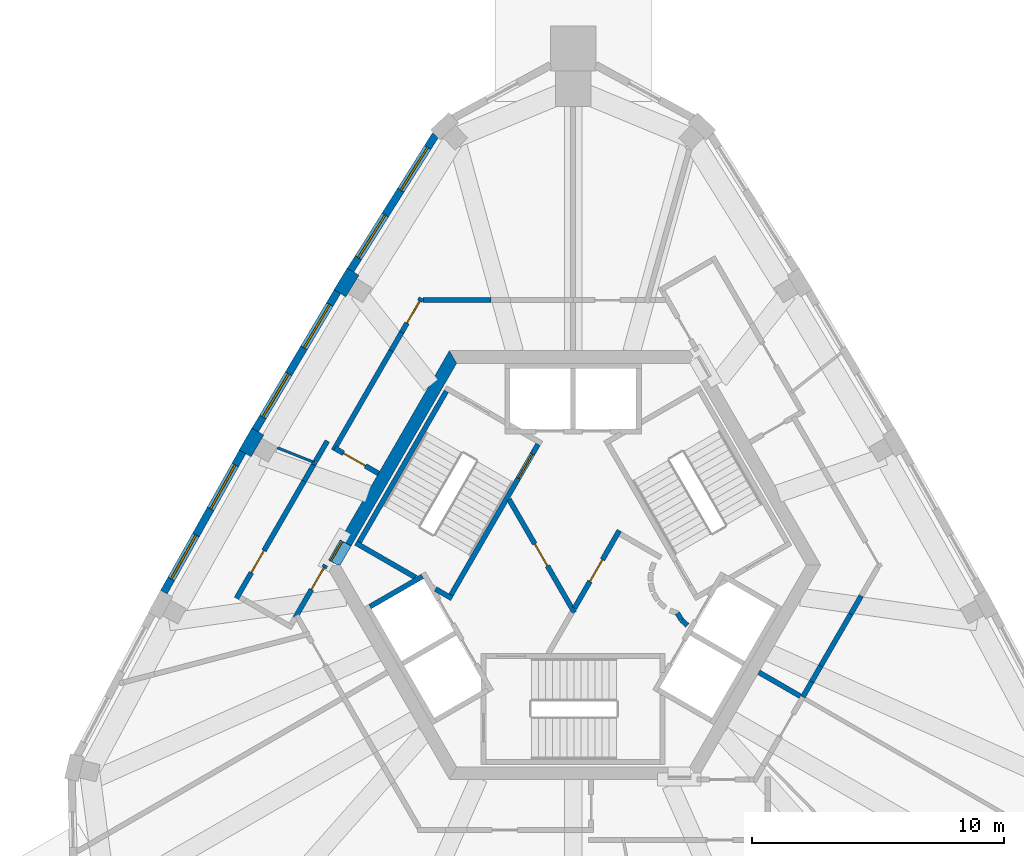
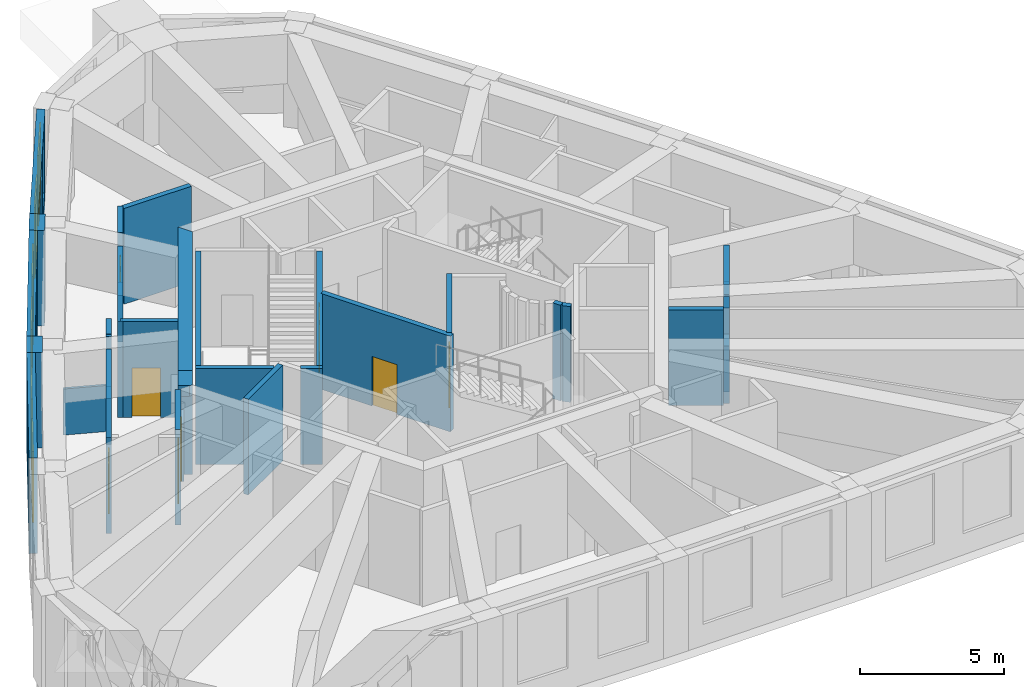
# One storey, part 4 of 8: 33 walls, 8 doors, 6 windows, 14 openings.
"""IFC4 building model written with IfcOpenShell, lengths in metres."""

from ifc_helpers import new_model, si_unit, direction, frame, frame_2d, origin, place, context, subcontext, project, spatial, polyline, rectangle, outline, extrude, material, layer, layer_set, type_object, element, fill, save


model = new_model("IFC4")

# Units and contexts
model_context = context("Model", 3, precision=1e-05, world=origin(), true_north=direction((0.0, 1.0)))
body_context = subcontext(model_context, "Body", "Model", "MODEL_VIEW")
ifc_project = project(units=[si_unit("LENGTHUNIT", "METRE"), si_unit("AREAUNIT", "SQUARE_METRE"), si_unit("VOLUMEUNIT", "CUBIC_METRE"), si_unit("PLANEANGLEUNIT", "RADIAN"), si_unit("MASSUNIT", "GRAM", prefix="KILO")], contexts=[model_context])

# Site, building, storey
site_placement = place(None, origin())
site = spatial("IfcSite", under=ifc_project, at=site_placement, CompositionType="ELEMENT")
building_placement = place(site_placement, origin())
building = spatial("IfcBuilding", under=site, at=building_placement, Name="Entoto Arch Interchange Tower", CompositionType="ELEMENT")
storey_placement = place(building_placement, frame((0.0, 0.0, 344.89990234375)))
storey = spatial("IfcBuildingStorey", under=building, at=storey_placement, Name="L81", CompositionType="ELEMENT", Elevation=344.89990234375)

# Wall, opening, door
ifc_material_1 = material(Name="Reinforced concrete C40/50", Category="concrete")
ifc_layer_1 = layer(ifc_material_1, 0.199951171875)
ifc_layer_set_1 = layer_set([ifc_layer_1], Name="Reinforced concrete C40/50")
wall_type_1 = type_object("IfcWallType", Name="CORE GAP INFILL WALL", PredefinedType="PARTITIONING", material=ifc_layer_set_1)
wall_1_placement = place(storey_placement, frame((-9.14990234375, 3.451904296875, 0.0), z_axis=(0.0, 0.0, 1.0), x_axis=(-0.500079945886, -0.865979242085, 0.0)))
wall_1 = element("IfcWall", 1, at=wall_1_placement, inside=storey, type_object=wall_type_1, Name="wall:L81:gap3", PredefinedType="PARTITIONING", context=body_context, shape_type="SweptSolid", body=[
    extrude(rectangle(XDim=0.926025390625, YDim=0.199951171875, at=frame_2d((0.462890625, 0.0))), origin(), (0.0, 0.0, 1.0), 2.400146484375),
])
opening_1_placement = place(wall_1_placement, frame((0.01708984375, 0.0, 0.0)))
opening_1 = element("IfcOpeningElement", 2, at=opening_1_placement, cuts=wall_1, Name="Opening L81-D93", PredefinedType="OPENING", context=body_context, shape_type="SweptSolid", body=[
    extrude(rectangle(XDim=0.89990234375, YDim=2.10009765625, at=frame_2d((0.449951171875, 1.050048828125))), frame((0.0, 0.10986328125, 0.0), z_axis=(0.0, -1.0, 0.0), x_axis=(1.0, 0.0, 0.0)), (0.0, 0.0, 1.0), 0.219970703125),
])
ifc_material_2 = material(Name="Fire-rated Steel S235 door and frame", Category="steel")
door_type_1 = type_object("IfcDoorType", Name="DOOR FD-09 900x2100", OperationType="SINGLE_SWING_LEFT", PredefinedType="DOOR", material=ifc_material_2)
door_1_placement = place(opening_1_placement, origin())
door_1 = element("IfcDoor", 3, at=door_1_placement, inside=storey, type_object=door_type_1, Name="door:L81:gap3", OperationType="SINGLE_SWING_LEFT", OverallHeight=2.10009765625, OverallWidth=0.89990234375, PredefinedType="DOOR", context=body_context, shape_type="SweptSolid", body=[
    extrude(rectangle(XDim=0.89990234375, YDim=2.10009765625, at=frame_2d((0.449951171875, 1.050048828125))), frame((0.0, 0.02490234375, 0.0), z_axis=(0.0, -1.0, 0.0), x_axis=(1.0, 0.0, 0.0)), (0.0, 0.0, 1.0), 0.050048828125),
])
fill(opening_1, door_1)

# Walls
ifc_material_3 = material(Name="Concrete C40/50", Category="concrete")
ifc_layer_2 = layer(ifc_material_3, 0.5)
ifc_layer_set_2 = layer_set([ifc_layer_2], Name="Concrete C40/50")
wall_type_2 = type_object("IfcWallType", Name="Core wall 500 C40/50", PredefinedType="SHEAR", material=ifc_layer_set_2)
wall_2_placement = place(storey_placement, frame((0.0, 0.0, -0.349853515625)))
element("IfcWall", 4, at=wall_2_placement, inside=storey, type_object=wall_type_2, Name="Core wall NW L81", PredefinedType="SHEAR", context=body_context, shape_type="SweptSolid", body=[
    extrude(outline(polyline([(-9.236083984375, 3.501953125), (-8.802978515625, 3.2529296875), (-4.618896484375, 10.5), (-4.906982421875, 11.0), (-9.236083984375, 3.501953125)])), origin(), (0.0, 0.0, 1.0), 4.39990234375),
])
wall_3_placement = place(storey_placement, frame((0.0, 0.0, 3.60009765625)))
element("IfcWall", 5, at=wall_3_placement, inside=storey, type_object=wall_type_2, Name="Core wall lintel NW L81", PredefinedType="SHEAR", context=body_context, shape_type="SweptSolid", body=[
    extrude(outline(polyline([(-9.699951171875, 2.699951171875), (-9.35400390625, 2.5), (-9.238037109375, 2.5), (-8.802978515625, 3.2529296875), (-9.236083984375, 3.501953125), (-9.699951171875, 2.699951171875)])), origin(), (0.0, 0.0, 1.0), 0.449951171875),
])
ifc_layer_3 = layer(ifc_material_3, 0.199951171875)
ifc_layer_set_3 = layer_set([ifc_layer_3], Name="Concrete C40/50")
wall_type_3 = type_object("IfcWallType", Name="LIFT SHAFT WALL 200", PredefinedType="STANDARD", material=ifc_layer_set_3)
wall_4_placement = place(storey_placement, frame((-5.97705078125, 2.052001953125, 0.0), z_axis=(0.0, 0.0, 1.0), x_axis=(-0.865973769406, -0.500089422704, 0.0)))
element("IfcWall", 6, at=wall_4_placement, inside=storey, type_object=wall_type_3, Name="Shaft wall SW1 cross 1", PredefinedType="STANDARD", context=body_context, shape_type="SweptSolid", body=[
    extrude(rectangle(XDim=2.3994140625, YDim=0.199951171875, at=frame_2d((1.19970703125, 0.0))), origin(), (0.0, 0.0, 1.0), 4.050048828125),
])
ifc_material_4 = material(Name="Gypsum board partition on steel studs", Category="steel")
ifc_layer_4 = layer(ifc_material_4, 0.10009765625)
ifc_layer_set_4 = layer_set([ifc_layer_4], Name="Gypsum board partition on steel studs")
wall_type_4 = type_object("IfcWallType", Name="PARTITION 100", PredefinedType="PARTITIONING", material=ifc_layer_set_4)
wall_5_placement = place(storey_placement, frame((-11.72607421875, 7.14990234375, 0.0), z_axis=(0.0, 0.0, 1.0), x_axis=(0.929589639936, -0.36859612223, 0.0)))
element("IfcWall", 7, at=wall_5_placement, inside=storey, type_object=wall_type_4, Name="wall:L81:p049", PredefinedType="PARTITIONING", context=body_context, shape_type="SweptSolid", body=[
    extrude(rectangle(XDim=1.59765625, YDim=0.10009765625, at=frame_2d((0.798828125, 0.0))), origin(), (0.0, 0.0, 1.0), 1.9501953125),
])
ifc_layer_5 = layer(ifc_material_4, 0.199951171875)
ifc_layer_set_5 = layer_set([ifc_layer_5], Name="Gypsum board partition on steel studs")
wall_type_5 = type_object("IfcWallType", Name="PARTITION 200", PredefinedType="PARTITIONING", material=ifc_layer_set_5)
wall_6_placement = place(storey_placement, frame((4.132080078125, 0.593017578125, 0.0), z_axis=(0.0, 0.0, 1.0), x_axis=(0.513561617048, -0.858052717201, 0.0)))
element("IfcWall", 8, at=wall_6_placement, inside=storey, type_object=wall_type_5, Name="wall:L81:p009", PredefinedType="PARTITIONING", context=body_context, shape_type="SweptSolid", body=[
    extrude(rectangle(XDim=0.3076171875, YDim=0.199951171875, at=frame_2d((0.15380859375, 0.0))), origin(), (0.0, 0.0, 1.0), 4.050048828125),
])
wall_7_placement = place(storey_placement, frame((4.301025390625, 0.31494140625, 0.0), z_axis=(0.0, 0.0, 1.0), x_axis=(0.741798017506, -0.670623367639, 0.0)))
element("IfcWall", 9, at=wall_7_placement, inside=storey, type_object=wall_type_5, Name="wall:L81:p010", PredefinedType="PARTITIONING", context=body_context, shape_type="SweptSolid", body=[
    extrude(rectangle(XDim=0.30859375, YDim=0.199951171875, at=frame_2d((0.154296875, 0.0))), origin(), (0.0, 0.0, 1.0), 4.050048828125),
])

# Wall, opening, door
wall_8_placement = place(storey_placement, frame((0.050048828125, 0.787109375, 0.0), z_axis=(0.0, 0.0, 1.0), x_axis=(0.499954076797, 0.866051915934, 0.0)))
wall_8 = element("IfcWall", 10, at=wall_8_placement, inside=storey, type_object=wall_type_5, Name="wall:L81:p011", PredefinedType="PARTITIONING", context=body_context, shape_type="SweptSolid", body=[
    extrude(rectangle(XDim=3.558349609375, YDim=0.199951171875, at=frame_2d((1.779296875, 0.0))), origin(), (0.0, 0.0, 1.0), 4.050048828125),
])
opening_2_placement = place(wall_8_placement, frame((1.22900390625, 0.0, 0.0)))
opening_2 = element("IfcOpeningElement", 11, at=opening_2_placement, cuts=wall_8, Name="Opening L81-D16", PredefinedType="OPENING", context=body_context, shape_type="SweptSolid", body=[
    extrude(rectangle(XDim=1.0, YDim=2.10009765625, at=frame_2d((0.5, 1.050048828125))), frame((0.0, 0.10986328125, 0.0), z_axis=(0.0, -1.0, 0.0), x_axis=(1.0, 0.0, 0.0)), (0.0, 0.0, 1.0), 0.219970703125),
])
door_type_2 = type_object("IfcDoorType", Name="DOOR FD-10 1000x2100", OperationType="SINGLE_SWING_LEFT", PredefinedType="DOOR", material=ifc_material_2)
door_2_placement = place(opening_2_placement, origin())
door_2 = element("IfcDoor", 12, at=door_2_placement, inside=storey, type_object=door_type_2, Name="door:L81:16", OperationType="SINGLE_SWING_RIGHT", OverallHeight=2.10009765625, OverallWidth=1.0, PredefinedType="DOOR", context=body_context, shape_type="SweptSolid", body=[
    extrude(rectangle(XDim=1.0, YDim=2.10009765625, at=frame_2d((0.5, 1.050048828125))), frame((0.0, 0.02490234375, 0.0), z_axis=(0.0, -1.0, 0.0), x_axis=(1.0, 0.0, 0.0)), (0.0, 0.0, 1.0), 0.050048828125),
])
fill(opening_2, door_2)

wall_9_placement = place(storey_placement, frame((-2.5400390625, 5.10009765625, 0.0), z_axis=(0.0, 0.0, 1.0), x_axis=(0.499925051871, -0.866068670783, 0.0)))
wall_9 = element("IfcWall", 13, at=wall_9_placement, inside=storey, type_object=wall_type_5, Name="wall:L81:p012", PredefinedType="PARTITIONING", context=body_context, shape_type="SweptSolid", body=[
    extrude(rectangle(XDim=5.180908203125, YDim=0.199951171875, at=frame_2d((2.59033203125, 0.0))), origin(), (0.0, 0.0, 1.0), 4.050048828125),
])
opening_3_placement = place(wall_9_placement, frame((2.0400390625, 0.0, 0.0)))
opening_3 = element("IfcOpeningElement", 14, at=opening_3_placement, cuts=wall_9, Name="Opening L81-D17", PredefinedType="OPENING", context=body_context, shape_type="SweptSolid", body=[
    extrude(rectangle(XDim=1.0, YDim=2.10009765625, at=frame_2d((0.5, 1.050048828125))), frame((0.0, 0.10986328125, 0.0), z_axis=(0.0, -1.0, 0.0), x_axis=(1.0, 0.0, 0.0)), (0.0, 0.0, 1.0), 0.219970703125),
])
door_3_placement = place(opening_3_placement, origin())
door_3 = element("IfcDoor", 15, at=door_3_placement, inside=storey, type_object=door_type_2, Name="door:L81:17", OperationType="SINGLE_SWING_RIGHT", OverallHeight=2.10009765625, OverallWidth=1.0, PredefinedType="DOOR", context=body_context, shape_type="SweptSolid", body=[
    extrude(rectangle(XDim=1.0, YDim=2.10009765625, at=frame_2d((0.5, 1.050048828125))), frame((0.0, 0.02490234375, 0.0), z_axis=(0.0, -1.0, 0.0), x_axis=(1.0, 0.0, 0.0)), (0.0, 0.0, 1.0), 0.050048828125),
])
fill(opening_3, door_3)

# Wall
wall_10_placement = place(storey_placement, frame((7.361083984375, -1.75, 0.0), z_axis=(0.0, 0.0, 1.0), x_axis=(0.865980106173, -0.500078449558, 0.0)))
element("IfcWall", 16, at=wall_10_placement, inside=storey, type_object=wall_type_5, Name="wall:L81:p022", PredefinedType="PARTITIONING", context=body_context, shape_type="SweptSolid", body=[
    extrude(rectangle(XDim=1.899658203125, YDim=0.199951171875, at=frame_2d((0.94970703125, 0.0))), origin(), (0.0, 0.0, 1.0), 4.050048828125),
])

# Wall, opening, door
wall_11_placement = place(storey_placement, frame((-9.449951171875, 7.132080078125, 0.0), z_axis=(0.0, 0.0, 1.0), x_axis=(0.866010750942, -0.50002537861, 0.0)))
wall_11 = element("IfcWall", 17, at=wall_11_placement, inside=storey, type_object=wall_type_5, Name="wall:L81:p039", PredefinedType="PARTITIONING", context=body_context, shape_type="SweptSolid", body=[
    extrude(rectangle(XDim=2.0, YDim=0.199951171875, at=frame_2d((1.0, 0.0))), origin(), (0.0, 0.0, 1.0), 4.050048828125),
])
opening_4_placement = place(wall_11_placement, frame((0.39990234375, 0.0, 0.0)))
opening_4 = element("IfcOpeningElement", 18, at=opening_4_placement, cuts=wall_11, Name="Opening L81-D11", PredefinedType="OPENING", context=body_context, shape_type="SweptSolid", body=[
    extrude(rectangle(XDim=1.0, YDim=2.10009765625, at=frame_2d((0.5, 1.050048828125))), frame((0.0, 0.10986328125, 0.0), z_axis=(0.0, -1.0, 0.0), x_axis=(1.0, 0.0, 0.0)), (0.0, 0.0, 1.0), 0.219970703125),
])
door_4_placement = place(opening_4_placement, origin())
door_4 = element("IfcDoor", 19, at=door_4_placement, inside=storey, type_object=door_type_2, Name="door:L81:11", OperationType="SINGLE_SWING_LEFT", OverallHeight=2.10009765625, OverallWidth=1.0, PredefinedType="DOOR", context=body_context, shape_type="SweptSolid", body=[
    extrude(rectangle(XDim=1.0, YDim=2.10009765625, at=frame_2d((0.5, 1.050048828125))), frame((0.0, 0.02490234375, 0.0), z_axis=(0.0, -1.0, 0.0), x_axis=(1.0, 0.0, 0.0)), (0.0, 0.0, 1.0), 0.050048828125),
])
fill(opening_4, door_4)

wall_12_placement = place(storey_placement, frame((-9.81494140625, 2.5, 0.0), z_axis=(0.0, 0.0, 1.0), x_axis=(-0.500061536317, -0.86598987286, 0.0)))
wall_12 = element("IfcWall", 20, at=wall_12_placement, inside=storey, type_object=wall_type_5, Name="wall:L81:p040", PredefinedType="PARTITIONING", context=body_context, shape_type="SweptSolid", body=[
    extrude(rectangle(XDim=2.409912109375, YDim=0.199951171875, at=frame_2d((1.205078125, 0.0))), origin(), (0.0, 0.0, 1.0), 4.050048828125),
])
opening_5_placement = place(wall_12_placement, frame((0.12109375, 0.0, 0.0)))
opening_5 = element("IfcOpeningElement", 21, at=opening_5_placement, cuts=wall_12, Name="Opening L81-D12", PredefinedType="OPENING", context=body_context, shape_type="SweptSolid", body=[
    extrude(rectangle(XDim=1.0, YDim=2.10009765625, at=frame_2d((0.5, 1.050048828125))), frame((0.0, 0.10986328125, 0.0), z_axis=(0.0, -1.0, 0.0), x_axis=(1.0, 0.0, 0.0)), (0.0, 0.0, 1.0), 0.219970703125),
])
door_5_placement = place(opening_5_placement, origin())
door_5 = element("IfcDoor", 22, at=door_5_placement, inside=storey, type_object=door_type_2, Name="door:L81:12", OperationType="SINGLE_SWING_RIGHT", OverallHeight=2.10009765625, OverallWidth=1.0, PredefinedType="DOOR", context=body_context, shape_type="SweptSolid", body=[
    extrude(rectangle(XDim=1.0, YDim=2.10009765625, at=frame_2d((0.5, 1.050048828125))), frame((0.0, 0.02490234375, 0.0), z_axis=(0.0, -1.0, 0.0), x_axis=(1.0, 0.0, 0.0)), (0.0, 0.0, 1.0), 0.050048828125),
])
fill(opening_5, door_5)

wall_13_placement = place(storey_placement, frame((-13.345947265625, 1.18310546875, 0.0), z_axis=(0.0, 0.0, 1.0), x_axis=(0.500073414727, 0.865983013623, 0.0)))
wall_13 = element("IfcWall", 23, at=wall_13_placement, inside=storey, type_object=wall_type_5, Name="wall:L81:p043", PredefinedType="PARTITIONING", context=body_context, shape_type="SweptSolid", body=[
    extrude(rectangle(XDim=5.359130859375, YDim=0.199951171875, at=frame_2d((2.6796875, 0.0))), origin(), (0.0, 0.0, 1.0), 4.050048828125),
])
opening_6_placement = place(wall_13_placement, frame((1.179931640625, 0.0, 0.0)))
opening_6 = element("IfcOpeningElement", 24, at=opening_6_placement, cuts=wall_13, Name="Opening L81-D13", PredefinedType="OPENING", context=body_context, shape_type="SweptSolid", body=[
    extrude(rectangle(XDim=1.0, YDim=2.10009765625, at=frame_2d((0.5, 1.050048828125))), frame((0.0, 0.10986328125, 0.0), z_axis=(0.0, -1.0, 0.0), x_axis=(1.0, 0.0, 0.0)), (0.0, 0.0, 1.0), 0.219970703125),
])
door_6_placement = place(opening_6_placement, origin())
door_6 = element("IfcDoor", 25, at=door_6_placement, inside=storey, type_object=door_type_2, Name="door:L81:13", OperationType="SINGLE_SWING_LEFT", OverallHeight=2.10009765625, OverallWidth=1.0, PredefinedType="DOOR", context=body_context, shape_type="SweptSolid", body=[
    extrude(rectangle(XDim=1.0, YDim=2.10009765625, at=frame_2d((0.5, 1.050048828125))), frame((0.0, 0.02490234375, 0.0), z_axis=(0.0, -1.0, 0.0), x_axis=(1.0, 0.0, 0.0)), (0.0, 0.0, 1.0), 0.050048828125),
])
fill(opening_6, door_6)

# Walls
wall_14_placement = place(storey_placement, frame((-10.216064453125, 6.60400390625, 0.0), z_axis=(0.0, 0.0, 1.0), x_axis=(0.499572668549, 0.866271983178, 0.0)))
element("IfcWall", 26, at=wall_14_placement, inside=storey, type_object=wall_type_5, Name="wall:L81:p044", PredefinedType="PARTITIONING", context=body_context, shape_type="SweptSolid", body=[
    extrude(rectangle(XDim=0.940673828125, YDim=0.199951171875, at=frame_2d((0.47021484375, 0.0))), origin(), (0.0, 0.0, 1.0), 4.050048828125),
])
wall_15_placement = place(storey_placement, frame((-9.5, 7.044921875, 0.0), z_axis=(0.0, 0.0, 1.0), x_axis=(0.500052367415, 0.865995167332, 0.0)))
element("IfcWall", 27, at=wall_15_placement, inside=storey, type_object=wall_type_5, Name="wall:L81:p045", PredefinedType="PARTITIONING", context=body_context, shape_type="SweptSolid", body=[
    extrude(rectangle(XDim=4.5693359375, YDim=0.199951171875, at=frame_2d((2.28466796875, 0.0))), origin(), (0.0, 0.0, 1.0), 4.050048828125),
])
wall_16_placement = place(storey_placement, frame((-5.9619140625, 13.0, 0.0), z_axis=(0.0, 0.0, 1.0), x_axis=(1.0, 0.0, 0.0)))
element("IfcWall", 28, at=wall_16_placement, inside=storey, type_object=wall_type_5, Name="wall:L81:p046", PredefinedType="PARTITIONING", context=body_context, shape_type="SweptSolid", body=[
    extrude(rectangle(XDim=2.69580078125, YDim=0.199951171875, at=frame_2d((1.347900390625, 0.0))), origin(), (0.0, 0.0, 1.0), 4.050048828125),
])
wall_17_placement = place(storey_placement, frame((11.419921875, 1.281005859375, 0.0), z_axis=(0.0, 0.0, 1.0), x_axis=(-0.49903093787, -0.866584169627, 0.0)))
element("IfcWall", 29, at=wall_17_placement, inside=storey, type_object=wall_type_5, Name="wall:L81:p032", PredefinedType="PARTITIONING", context=body_context, shape_type="SweptSolid", body=[
    extrude(rectangle(XDim=0.835693359375, YDim=0.199951171875, at=frame_2d((0.41796875, 0.0))), origin(), (0.0, 0.0, 1.0), 1.9501953125),
])
wall_18_placement = place(storey_placement, frame((11.0029296875, 0.556884765625, 0.0), z_axis=(0.0, 0.0, 1.0), x_axis=(-0.500318709804, -0.865841318384, 0.0)))
element("IfcWall", 30, at=wall_18_placement, inside=storey, type_object=wall_type_5, Name="wall:L81:p032", PredefinedType="PARTITIONING", context=body_context, shape_type="SweptSolid", body=[
    extrude(rectangle(XDim=2.37451171875, YDim=0.199951171875, at=frame_2d((1.187255859375, 0.0))), origin(), (0.0, 0.0, 1.0), 4.050048828125),
])
wall_19_placement = place(storey_placement, frame((9.81494140625, -1.4990234375, 0.0), z_axis=(0.0, 0.0, 1.0), x_axis=(-0.499508606083, -0.866308924373, 0.0)))
element("IfcWall", 31, at=wall_19_placement, inside=storey, type_object=wall_type_5, Name="wall:L81:p032", PredefinedType="PARTITIONING", context=body_context, shape_type="SweptSolid", body=[
    extrude(rectangle(XDim=0.724853515625, YDim=0.199951171875, at=frame_2d((0.3623046875, 0.0))), origin(), (0.0, 0.0, 1.0), 1.9501953125),
])
wall_20_placement = place(storey_placement, frame((9.452880859375, -2.126953125, 0.0), z_axis=(0.0, 0.0, 1.0), x_axis=(-0.499884866553, -0.866091865907, 0.0)))
element("IfcWall", 32, at=wall_20_placement, inside=storey, type_object=wall_type_5, Name="wall:L81:p032", PredefinedType="PARTITIONING", context=body_context, shape_type="SweptSolid", body=[
    extrude(rectangle(XDim=0.694091796875, YDim=0.199951171875, at=frame_2d((0.34716796875, 0.0))), origin(), (0.0, 0.0, 1.0), 4.050048828125),
])
wall_21_placement = place(storey_placement, frame((-10.666015625, 5.823974609375, 0.0), z_axis=(0.0, 0.0, 1.0), x_axis=(0.499637970844, 0.866234320545, 0.0)))
element("IfcWall", 33, at=wall_21_placement, inside=storey, type_object=wall_type_5, Name="wall:L81:p043", PredefinedType="PARTITIONING", context=body_context, shape_type="SweptSolid", body=[
    extrude(rectangle(XDim=0.75048828125, YDim=0.199951171875, at=frame_2d((0.375244140625, 0.0))), origin(), (0.0, 0.0, 1.0), 1.9501953125),
])
wall_22_placement = place(storey_placement, frame((-10.291015625, 6.47412109375, 0.0), z_axis=(0.0, 0.0, 1.0), x_axis=(0.500955995102, 0.865472755765, 0.0)))
element("IfcWall", 34, at=wall_22_placement, inside=storey, type_object=wall_type_5, Name="wall:L81:p043", PredefinedType="PARTITIONING", context=body_context, shape_type="SweptSolid", body=[
    extrude(rectangle(XDim=0.119873046875, YDim=0.199951171875, at=frame_2d((0.06005859375, 0.0))), origin(), (0.0, 0.0, 1.0), 4.050048828125),
])
wall_23_placement = place(storey_placement, frame((-7.215087890625, 11.001953125, 0.0), z_axis=(0.0, 0.0, 1.0), x_axis=(0.499164436756, 0.866507279299, 0.0)))
element("IfcWall", 35, at=wall_23_placement, inside=storey, type_object=wall_type_5, Name="wall:L81:p045", PredefinedType="PARTITIONING", context=body_context, shape_type="SweptSolid", body=[
    extrude(rectangle(XDim=0.83349609375, YDim=0.199951171875, at=frame_2d((0.416748046875, 0.0))), origin(), (0.0, 0.0, 1.0), 1.9501953125),
])

# Wall, opening, door
wall_24_placement = place(storey_placement, frame((-6.799072265625, 11.72412109375, 0.0), z_axis=(0.0, 0.0, 1.0), x_axis=(0.50014319453, 0.865942714598, 0.0)))
wall_24 = element("IfcWall", 36, at=wall_24_placement, inside=storey, type_object=wall_type_5, Name="wall:L81:p045", PredefinedType="PARTITIONING", context=body_context, shape_type="SweptSolid", body=[
    extrude(rectangle(XDim=1.57373046875, YDim=0.199951171875, at=frame_2d((0.786865234375, 0.0))), origin(), (0.0, 0.0, 1.0), 4.050048828125),
])
opening_7_placement = place(wall_24_placement, frame((0.424072265625, 0.0, 0.0)))
opening_7 = element("IfcOpeningElement", 37, at=opening_7_placement, cuts=wall_24, Name="Opening L81-D14", PredefinedType="OPENING", context=body_context, shape_type="SweptSolid", body=[
    extrude(rectangle(XDim=1.0, YDim=2.10009765625, at=frame_2d((0.5, 1.050048828125))), frame((0.0, 0.10986328125, 0.0), z_axis=(0.0, -1.0, 0.0), x_axis=(1.0, 0.0, 0.0)), (0.0, 0.0, 1.0), 0.219970703125),
])
ifc_material_5 = material(Name="Timber door leaf in Steel S235 frame", Category="steel")
door_type_3 = type_object("IfcDoorType", Name="DOOR DS-10 1000x2100", OperationType="SINGLE_SWING_LEFT", PredefinedType="DOOR", material=ifc_material_5)
door_7_placement = place(opening_7_placement, origin())
door_7 = element("IfcDoor", 38, at=door_7_placement, inside=storey, type_object=door_type_3, Name="door:L81:14", OperationType="SINGLE_SWING_RIGHT", OverallHeight=2.10009765625, OverallWidth=1.0, PredefinedType="DOOR", context=body_context, shape_type="SweptSolid", body=[
    extrude(rectangle(XDim=1.0, YDim=2.10009765625, at=frame_2d((0.5, 1.050048828125))), frame((0.0, 0.02490234375, 0.0), z_axis=(0.0, -1.0, 0.0), x_axis=(1.0, 0.0, 0.0)), (0.0, 0.0, 1.0), 0.050048828125),
])
fill(opening_7, door_7)

# Walls
ifc_layer_6 = layer(ifc_material_3, 0.199951171875)
ifc_layer_set_6 = layer_set([ifc_layer_6], Name="Concrete C40/50")
wall_type_6 = type_object("IfcWallType", Name="STAIR ENCLOSURE WALL 200", PredefinedType="STANDARD", material=ifc_layer_set_6)
wall_25_placement = place(storey_placement, frame((-6.25, 2.010009765625, 0.0), z_axis=(0.0, 0.0, 1.0), x_axis=(-0.86611865017, 0.499838457731, 0.0)))
element("IfcWall", 39, at=wall_25_placement, inside=storey, type_object=wall_type_6, Name="Stair wall ST-NW far", PredefinedType="STANDARD", context=body_context, shape_type="SweptSolid", body=[
    extrude(rectangle(XDim=2.73291015625, YDim=0.199951171875, at=frame_2d((1.366455078125, 0.0))), origin(), (0.0, 0.0, 1.0), 4.050048828125),
])
wall_26_placement = place(storey_placement, frame((-4.805908203125, 1.176025390625, 0.0), z_axis=(0.0, 0.0, 1.0), x_axis=(-0.866558586415, 0.499075361355, 0.0)))
element("IfcWall", 40, at=wall_26_placement, inside=storey, type_object=wall_type_6, Name="Stair wall ST-NW far return", PredefinedType="STANDARD", context=body_context, shape_type="SweptSolid", body=[
    extrude(rectangle(XDim=0.75146484375, YDim=0.199951171875, at=frame_2d((0.375732421875, 0.0))), origin(), (0.0, 0.0, 1.0), 4.050048828125),
])

# Wall, opening, door
wall_27_placement = place(storey_placement, frame((-1.39306640625, 7.2880859375, 0.0), z_axis=(0.0, 0.0, 1.0), x_axis=(-0.499963383562, -0.866046543262, 0.0)))
wall_27 = element("IfcWall", 41, at=wall_27_placement, inside=storey, type_object=wall_type_6, Name="Stair wall ST-NW hall", PredefinedType="STANDARD", context=body_context, shape_type="SweptSolid", body=[
    extrude(rectangle(XDim=6.900390625, YDim=0.199951171875, at=frame_2d((3.4501953125, 0.0))), origin(), (0.0, 0.0, 1.0), 4.050048828125),
])
opening_8_placement = place(wall_27_placement, frame((0.449951171875, 0.0, 0.0)))
opening_8 = element("IfcOpeningElement", 42, at=opening_8_placement, cuts=wall_27, Name="Opening SD-ST-NW-L81", PredefinedType="OPENING", context=body_context, shape_type="SweptSolid", body=[
    extrude(rectangle(XDim=1.10009765625, YDim=2.199951171875, at=frame_2d((0.550048828125, 1.10009765625))), frame((0.0, 0.10986328125, 0.0), z_axis=(0.0, -1.0, 0.0), x_axis=(1.0, 0.0, 0.0)), (0.0, 0.0, 1.0), 0.219970703125),
])
ifc_material_6 = material(Name="Steel S235", Category="steel")
door_type_4 = type_object("IfcDoorType", Name="STAIR DOOR SD1 1100x2200", OperationType="SINGLE_SWING_LEFT", PredefinedType="DOOR", material=ifc_material_6)
door_8_placement = place(opening_8_placement, origin())
door_8 = element("IfcDoor", 43, at=door_8_placement, inside=storey, type_object=door_type_4, Name="Stair door ST-NW L81", OperationType="SINGLE_SWING_LEFT", OverallHeight=2.199951171875, OverallWidth=1.10009765625, PredefinedType="DOOR", context=body_context, shape_type="SweptSolid", body=[
    extrude(rectangle(XDim=1.10009765625, YDim=2.199951171875, at=frame_2d((0.550048828125, 1.10009765625))), frame((0.0, 0.02490234375, 0.0), z_axis=(0.0, -1.0, 0.0), x_axis=(1.0, 0.0, 0.0)), (0.0, 0.0, 1.0), 0.050048828125),
])
fill(opening_8, door_8)

# Wall
wall_28_placement = place(storey_placement, frame((-5.030029296875, 9.387939453125, 0.0), z_axis=(0.0, 0.0, 1.0), x_axis=(-0.499978703459, -0.866037698999, 0.0)))
element("IfcWall", 44, at=wall_28_placement, inside=storey, type_object=wall_type_6, Name="Stair wall ST-NW back", PredefinedType="STANDARD", context=body_context, shape_type="SweptSolid", body=[
    extrude(rectangle(XDim=6.900146484375, YDim=0.199951171875, at=frame_2d((3.4501953125, 0.0))), origin(), (0.0, 0.0, 1.0), 4.050048828125),
])

# Wall, openings, windows
ifc_material_7 = material(Name="Welded tuff (ignimbrite) cladding, warm buff", Category="masonry")
ifc_layer_7 = layer(ifc_material_7, 0.300048828125)
ifc_layer_set_7 = layer_set([ifc_layer_7], Name="Welded tuff (ignimbrite) cladding, warm buff")
wall_type_7 = type_object("IfcWallType", Name="STONE INFILL WALL 300", PredefinedType="STANDARD", material=ifc_layer_set_7)
wall_29_placement = place(storey_placement, frame((-5.458984375, 19.544921875, 0.0), z_axis=(0.0, 0.0, 1.0), x_axis=(-0.532279831475, -0.846568473902, 0.0)))
wall_29 = element("IfcWall", 45, at=wall_29_placement, inside=storey, type_object=wall_type_7, Name="Facade wall NW-01 L81", PredefinedType="STANDARD", context=body_context, shape_type="SweptSolid", body=[
    extrude(rectangle(XDim=6.325439453125, YDim=0.300048828125, at=frame_2d((3.16259765625, 0.0))), origin(), (0.0, 0.0, 1.0), 4.050048828125),
])
opening_9_placement = place(wall_29_placement, frame((0.5810546875, 0.0, 0.89990234375)))
opening_9 = element("IfcOpeningElement", 46, at=opening_9_placement, cuts=wall_29, Name="Opening WK-C", PredefinedType="OPENING", context=body_context, shape_type="SweptSolid", body=[
    extrude(rectangle(XDim=2.0, YDim=3.0, at=frame_2d((1.0, 1.5))), frame((0.0, 0.16015625, 0.0), z_axis=(0.0, -1.0, 0.0), x_axis=(1.0, 0.0, 0.0)), (0.0, 0.0, 1.0), 0.320068359375),
])
opening_10_placement = place(wall_29_placement, frame((3.743896484375, 0.0, 0.89990234375)))
opening_10 = element("IfcOpeningElement", 47, at=opening_10_placement, cuts=wall_29, Name="Opening WK-C", PredefinedType="OPENING", context=body_context, shape_type="SweptSolid", body=[
    extrude(rectangle(XDim=2.0, YDim=3.0, at=frame_2d((1.0, 1.5))), frame((0.0, 0.16015625, 0.0), z_axis=(0.0, -1.0, 0.0), x_axis=(1.0, 0.0, 0.0)), (0.0, 0.0, 1.0), 0.320068359375),
])
ifc_material_8 = material(Name="Clear glass, low-e double glazed", Category="glass")
window_type = type_object("IfcWindowType", Name="WINDOW WK-C 2000x3000", PartitioningType="DOUBLE_PANEL_VERTICAL", PredefinedType="WINDOW", material=ifc_material_8)
window_1_placement = place(opening_9_placement, origin())
window_1 = element("IfcWindow", 48, at=window_1_placement, inside=storey, type_object=window_type, Name="Window WK-C NW-01 L81", OverallHeight=3.0, OverallWidth=2.0, PartitioningType="SINGLE_PANEL", PredefinedType="WINDOW", context=body_context, shape_type="SweptSolid", body=[
    extrude(rectangle(XDim=2.0, YDim=3.0, at=frame_2d((1.0, 1.5))), frame((0.0, 0.030029296875, 0.0), z_axis=(0.0, -1.0, 0.0), x_axis=(1.0, 0.0, 0.0)), (0.0, 0.0, 1.0), 0.06005859375),
])
fill(opening_9, window_1)
window_2_placement = place(opening_10_placement, origin())
window_2 = element("IfcWindow", 49, at=window_2_placement, inside=storey, type_object=window_type, Name="Window WK-C NW-01 L81", OverallHeight=3.0, OverallWidth=2.0, PartitioningType="SINGLE_PANEL", PredefinedType="WINDOW", context=body_context, shape_type="SweptSolid", body=[
    extrude(rectangle(XDim=2.0, YDim=3.0, at=frame_2d((1.0, 1.5))), frame((0.0, 0.030029296875, 0.0), z_axis=(0.0, -1.0, 0.0), x_axis=(1.0, 0.0, 0.0)), (0.0, 0.0, 1.0), 0.06005859375),
])
fill(opening_10, window_2)

wall_30_placement = place(storey_placement, frame((-9.346923828125, 13.339111328125, 0.0), z_axis=(0.0, 0.0, 1.0), x_axis=(-0.510686403068, -0.859767060152, 0.0)))
wall_30 = element("IfcWall", 50, at=wall_30_placement, inside=storey, type_object=wall_type_7, Name="Facade wall NW-02 L81", PredefinedType="STANDARD", context=body_context, shape_type="SweptSolid", body=[
    extrude(rectangle(XDim=6.379638671875, YDim=0.300048828125, at=frame_2d((3.18994140625, 0.0))), origin(), (0.0, 0.0, 1.0), 4.050048828125),
])
opening_11_placement = place(wall_30_placement, frame((0.594970703125, 0.0, 0.89990234375)))
opening_11 = element("IfcOpeningElement", 51, at=opening_11_placement, cuts=wall_30, Name="Opening WK-C", PredefinedType="OPENING", context=body_context, shape_type="SweptSolid", body=[
    extrude(rectangle(XDim=2.0, YDim=3.0, at=frame_2d((1.0, 1.5))), frame((0.0, 0.16015625, 0.0), z_axis=(0.0, -1.0, 0.0), x_axis=(1.0, 0.0, 0.0)), (0.0, 0.0, 1.0), 0.320068359375),
])
opening_12_placement = place(wall_30_placement, frame((3.784912109375, 0.0, 0.89990234375)))
opening_12 = element("IfcOpeningElement", 52, at=opening_12_placement, cuts=wall_30, Name="Opening WK-C", PredefinedType="OPENING", context=body_context, shape_type="SweptSolid", body=[
    extrude(rectangle(XDim=2.0, YDim=3.0, at=frame_2d((1.0, 1.5))), frame((0.0, 0.16015625, 0.0), z_axis=(0.0, -1.0, 0.0), x_axis=(1.0, 0.0, 0.0)), (0.0, 0.0, 1.0), 0.320068359375),
])
window_3_placement = place(opening_11_placement, origin())
window_3 = element("IfcWindow", 53, at=window_3_placement, inside=storey, type_object=window_type, Name="Window WK-C NW-02 L81", OverallHeight=3.0, OverallWidth=2.0, PartitioningType="SINGLE_PANEL", PredefinedType="WINDOW", context=body_context, shape_type="SweptSolid", body=[
    extrude(rectangle(XDim=2.0, YDim=3.0, at=frame_2d((1.0, 1.5))), frame((0.0, 0.030029296875, 0.0), z_axis=(0.0, -1.0, 0.0), x_axis=(1.0, 0.0, 0.0)), (0.0, 0.0, 1.0), 0.06005859375),
])
fill(opening_11, window_3)
window_4_placement = place(opening_12_placement, origin())
window_4 = element("IfcWindow", 54, at=window_4_placement, inside=storey, type_object=window_type, Name="Window WK-C NW-02 L81", OverallHeight=3.0, OverallWidth=2.0, PartitioningType="SINGLE_PANEL", PredefinedType="WINDOW", context=body_context, shape_type="SweptSolid", body=[
    extrude(rectangle(XDim=2.0, YDim=3.0, at=frame_2d((1.0, 1.5))), frame((0.0, 0.030029296875, 0.0), z_axis=(0.0, -1.0, 0.0), x_axis=(1.0, 0.0, 0.0)), (0.0, 0.0, 1.0), 0.06005859375),
])
fill(opening_12, window_4)

wall_31_placement = place(storey_placement, frame((-13.10400390625, 6.989990234375, 0.0), z_axis=(0.0, 0.0, 1.0), x_axis=(-0.489232514948, -0.872153396094, 0.0)))
wall_31 = element("IfcWall", 55, at=wall_31_placement, inside=storey, type_object=wall_type_7, Name="Facade wall NW-03 L81", PredefinedType="STANDARD", context=body_context, shape_type="SweptSolid", body=[
    extrude(rectangle(XDim=6.379638671875, YDim=0.300048828125, at=frame_2d((3.18994140625, 0.0))), origin(), (0.0, 0.0, 1.0), 4.050048828125),
])
opening_13_placement = place(wall_31_placement, frame((0.594970703125, 0.0, 0.89990234375)))
opening_13 = element("IfcOpeningElement", 56, at=opening_13_placement, cuts=wall_31, Name="Opening WK-C", PredefinedType="OPENING", context=body_context, shape_type="SweptSolid", body=[
    extrude(rectangle(XDim=2.0, YDim=3.0, at=frame_2d((1.0, 1.5))), frame((0.0, 0.16015625, 0.0), z_axis=(0.0, -1.0, 0.0), x_axis=(1.0, 0.0, 0.0)), (0.0, 0.0, 1.0), 0.320068359375),
])
opening_14_placement = place(wall_31_placement, frame((3.784912109375, 0.0, 0.89990234375)))
opening_14 = element("IfcOpeningElement", 57, at=opening_14_placement, cuts=wall_31, Name="Opening WK-C", PredefinedType="OPENING", context=body_context, shape_type="SweptSolid", body=[
    extrude(rectangle(XDim=2.0, YDim=3.0, at=frame_2d((1.0, 1.5))), frame((0.0, 0.16015625, 0.0), z_axis=(0.0, -1.0, 0.0), x_axis=(1.0, 0.0, 0.0)), (0.0, 0.0, 1.0), 0.320068359375),
])
window_5_placement = place(opening_13_placement, origin())
window_5 = element("IfcWindow", 58, at=window_5_placement, inside=storey, type_object=window_type, Name="Window WK-C NW-03 L81", OverallHeight=3.0, OverallWidth=2.0, PartitioningType="SINGLE_PANEL", PredefinedType="WINDOW", context=body_context, shape_type="SweptSolid", body=[
    extrude(rectangle(XDim=2.0, YDim=3.0, at=frame_2d((1.0, 1.5))), frame((0.0, 0.030029296875, 0.0), z_axis=(0.0, -1.0, 0.0), x_axis=(1.0, 0.0, 0.0)), (0.0, 0.0, 1.0), 0.06005859375),
])
fill(opening_13, window_5)
window_6_placement = place(opening_14_placement, origin())
window_6 = element("IfcWindow", 59, at=window_6_placement, inside=storey, type_object=window_type, Name="Window WK-C NW-03 L81", OverallHeight=3.0, OverallWidth=2.0, PartitioningType="SINGLE_PANEL", PredefinedType="WINDOW", context=body_context, shape_type="SweptSolid", body=[
    extrude(rectangle(XDim=2.0, YDim=3.0, at=frame_2d((1.0, 1.5))), frame((0.0, 0.030029296875, 0.0), z_axis=(0.0, -1.0, 0.0), x_axis=(1.0, 0.0, 0.0)), (0.0, 0.0, 1.0), 0.06005859375),
])
fill(opening_14, window_6)

# Walls
ifc_layer_8 = layer(ifc_material_7, 0.550048828125)
ifc_layer_set_8 = layer_set([ifc_layer_8], Name="Welded tuff (ignimbrite) cladding, warm buff")
wall_type_8 = type_object("IfcWallType", Name="STONE PIER CLADDING 550", PredefinedType="STANDARD", material=ifc_layer_set_8)
wall_32_placement = place(storey_placement, frame((-8.72509765625, 14.12890625, 0.0), z_axis=(0.0, 0.0, 1.0), x_axis=(-0.521232636172, -0.853414634857, 0.0)))
element("IfcWall", 60, at=wall_32_placement, inside=storey, type_object=wall_type_8, Name="Stone pier NW02 L81", PredefinedType="STANDARD", context=body_context, shape_type="SweptSolid", body=[
    extrude(rectangle(XDim=0.99951171875, YDim=0.550048828125, at=frame_2d((0.499755859375, 0.0))), origin(), (0.0, 0.0, 1.0), 4.050048828125),
])
wall_33_placement = place(storey_placement, frame((-12.501953125, 7.7958984375, 0.0), z_axis=(0.0, 0.0, 1.0), x_axis=(-0.49960277677, -0.866254619292, 0.0)))
element("IfcWall", 61, at=wall_33_placement, inside=storey, type_object=wall_type_8, Name="Stone pier NW03 L81", PredefinedType="STANDARD", context=body_context, shape_type="SweptSolid", body=[
    extrude(rectangle(XDim=1.000732421875, YDim=0.550048828125, at=frame_2d((0.50048828125, 0.0))), origin(), (0.0, 0.0, 1.0), 4.050048828125),
])

save(model, "model.ifc")
